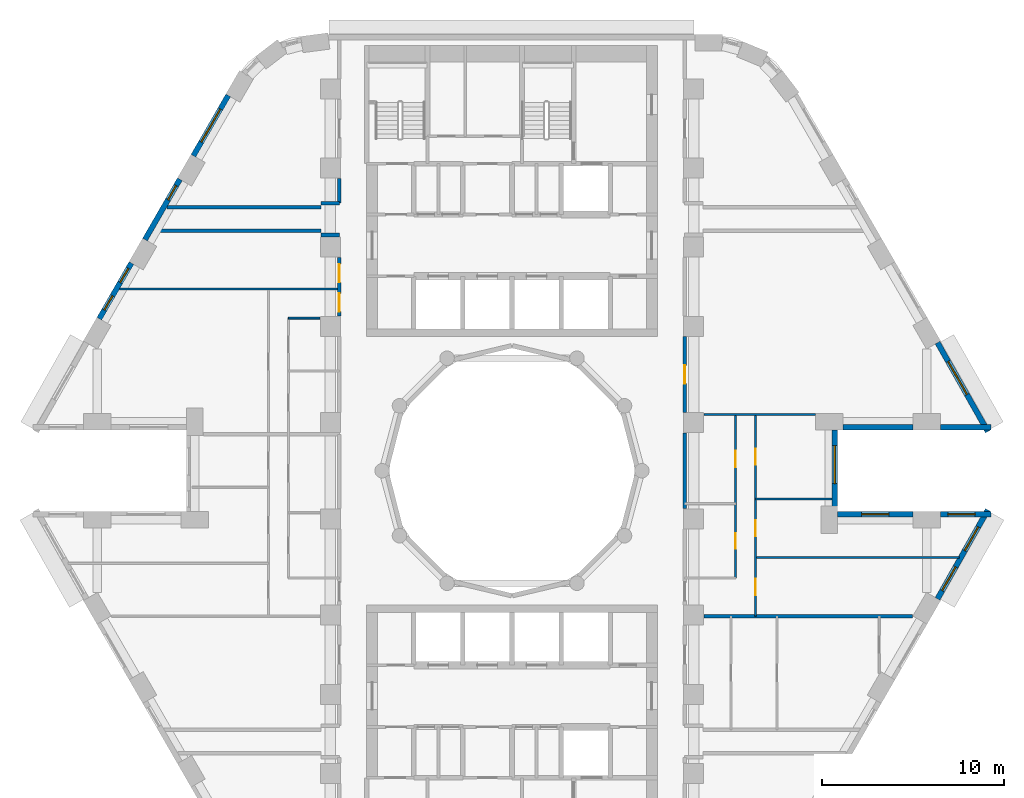
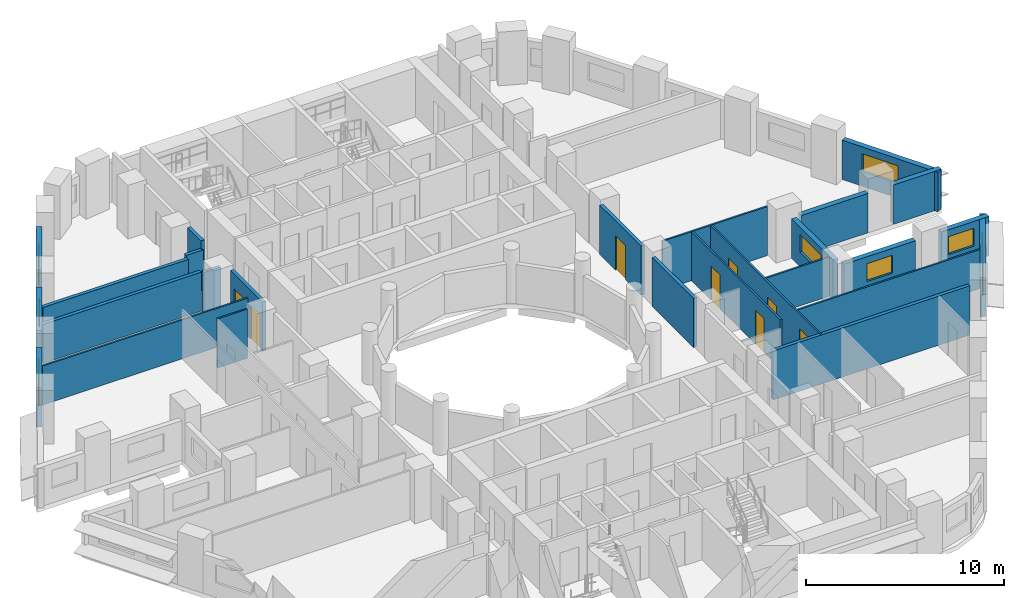
# One storey, part 6 of 12: 26 walls, 10 windows, 8 doors, 18 openings.
"""IFC4 building model written with IfcOpenShell, lengths in metres."""

from ifc_helpers import new_model, si_unit, direction, frame, frame_2d, origin, place, context, subcontext, project, spatial, rectangle, extrude, material, layer, layer_set, type_object, element, fill, save


model = new_model("IFC4")

# Units and contexts
model_context = context("Model", 3, precision=1e-05, world=origin(), true_north=direction((0.0, 1.0)))
body_context = subcontext(model_context, "Body", "Model", "MODEL_VIEW")
ifc_project = project(units=[si_unit("LENGTHUNIT", "METRE"), si_unit("AREAUNIT", "SQUARE_METRE"), si_unit("VOLUMEUNIT", "CUBIC_METRE"), si_unit("PLANEANGLEUNIT", "RADIAN"), si_unit("MASSUNIT", "GRAM", prefix="KILO")], contexts=[model_context])

# Site, building, storey
site_placement = place(None, origin())
site = spatial("IfcSite", under=ifc_project, at=site_placement, CompositionType="ELEMENT")
building_placement = place(site_placement, origin())
building = spatial("IfcBuilding", under=site, at=building_placement, Name="Nakaniwa Court", CompositionType="ELEMENT")
storey_placement = place(building_placement, frame((0.0, 0.0, 54.60009765625)))
storey = spatial("IfcBuildingStorey", under=building, at=storey_placement, Name="L14", CompositionType="ELEMENT", Elevation=54.60009765625)

# Wall
ifc_material_1 = material(Name="Acoustic double stud partition")
ifc_layer_1 = layer(ifc_material_1, 0.199951171875)
ifc_layer_set_1 = layer_set([ifc_layer_1], Name="Acoustic double stud partition")
wall_type_1 = type_object("IfcWallType", Name="Acoustic double stud partition 200", PredefinedType="PARTITIONING", material=ifc_layer_set_1)
wall_1_placement = place(storey_placement, frame((89.5, 77.9169921875, 0.0), z_axis=(0.0, 0.0, 1.0), x_axis=(0.0, 1.0, 0.0)))
element("IfcWall", 1, at=wall_1_placement, inside=storey, type_object=wall_type_1, Name="Partition PW-077", PredefinedType="PARTITIONING", context=body_context, shape_type="SweptSolid", body=[
    extrude(rectangle(XDim=4.166015625, YDim=0.199951171875, at=frame_2d((2.0830078125, 0.0))), origin(), (0.0, 0.0, 1.0), 3.02490234375),
])

# Wall, opening, door
wall_2_placement = place(storey_placement, frame((89.5, 87.383056640625, 0.0), z_axis=(0.0, 0.0, 1.0), x_axis=(0.0, -1.0, 0.0)))
wall_2 = element("IfcWall", 2, at=wall_2_placement, inside=storey, type_object=wall_type_1, Name="Partition PW-078", PredefinedType="PARTITIONING", context=body_context, shape_type="SweptSolid", body=[
    extrude(rectangle(XDim=4.166015625, YDim=0.199951171875, at=frame_2d((2.0830078125, 0.0))), origin(), (0.0, 0.0, 1.0), 3.02490234375),
])
opening_1_placement = place(wall_2_placement, frame((1.5830078125, 0.0, 0.0)))
opening_1 = element("IfcOpeningElement", 3, at=opening_1_placement, cuts=wall_2, Name="Opening D-02-01", PredefinedType="OPENING", context=body_context, shape_type="SweptSolid", body=[
    extrude(rectangle(XDim=1.0, YDim=2.10009765625, at=frame_2d((0.5, 1.050048828125))), frame((0.0, 0.10986328125, 0.0), z_axis=(0.0, -1.0, 0.0), x_axis=(1.0, 0.0, 0.0)), (0.0, 0.0, 1.0), 0.219970703125),
])
ifc_material_2 = material(Name="Solid core timber door set, black veneer", Category="wood")
door_type_1 = type_object("IfcDoorType", Name="Internal door 1000", OperationType="NOTDEFINED", PredefinedType="DOOR", material=ifc_material_2)
door_1_placement = place(opening_1_placement, origin())
door_1 = element("IfcDoor", 4, at=door_1_placement, inside=storey, type_object=door_type_1, Name="Door D-02-01 L14-039", OperationType="SINGLE_SWING_RIGHT", OverallHeight=2.10009765625, OverallWidth=1.0, PredefinedType="DOOR", context=body_context, shape_type="SweptSolid", body=[
    extrude(rectangle(XDim=1.0, YDim=2.10009765625, at=frame_2d((0.5, 1.050048828125))), frame((0.0, 0.02490234375, 0.0), z_axis=(0.0, -1.0, 0.0), x_axis=(1.0, 0.0, 0.0)), (0.0, 0.0, 1.0), 0.050048828125),
])
fill(opening_1, door_1)

# Walls
wall_3_placement = place(storey_placement, frame((60.254638671875, 93.199951171875, 0.0), z_axis=(0.0, 0.0, 1.0), x_axis=(1.0, 0.0, 0.0)))
element("IfcWall", 5, at=wall_3_placement, inside=storey, type_object=wall_type_1, Name="Partition PW-083", PredefinedType="PARTITIONING", context=body_context, shape_type="SweptSolid", body=[
    extrude(rectangle(XDim=9.245361328125, YDim=0.199951171875, at=frame_2d((4.62255859375, 0.0))), origin(), (0.0, 0.0, 1.0), 2.40478515625),
])
for number, where, z_axis, x_axis, name in (
    (6, (69.5, 92.97509765625, 0.0), (0.0, 0.0, 1.0), (1.0, 0.0, 0.0), "Partition PW-085"),
    (7, (69.5, 94.72509765625, 0.0), (0.0, 0.0, 1.0), (1.0, 0.0, 0.0), "Partition PW-087"),
):
    element("IfcWall", number, at=place(storey_placement, frame(where, z_axis=z_axis, x_axis=x_axis)), inside=storey, type_object=wall_type_1, Name=name, PredefinedType="PARTITIONING", context=body_context, shape_type="SweptSolid", body=[
        extrude(rectangle(XDim=1.0, YDim=0.199951171875, at=frame_2d((0.5, 0.0))), origin(), (0.0, 0.0, 1.0), 2.5048828125),
    ])
wall_4_placement = place(storey_placement, frame((61.005126953125, 94.5, 0.0), z_axis=(0.0, 0.0, 1.0), x_axis=(1.0, 0.0, 0.0)))
element("IfcWall", 8, at=wall_4_placement, inside=storey, type_object=wall_type_1, Name="Partition PW-089", PredefinedType="PARTITIONING", context=body_context, shape_type="SweptSolid", body=[
    extrude(rectangle(XDim=8.494873046875, YDim=0.199951171875, at=frame_2d((4.24755859375, 0.0))), origin(), (0.0, 0.0, 1.0), 2.40478515625),
])

# Wall, openings, doors
wall_5_placement = place(storey_placement, frame((70.5, 88.51708984375, 0.0), z_axis=(0.0, 0.0, 1.0), x_axis=(0.0, 1.0, 0.0)))
wall_5 = element("IfcWall", 9, at=wall_5_placement, inside=storey, type_object=wall_type_1, Name="Partition PW-107", PredefinedType="PARTITIONING", context=body_context, shape_type="SweptSolid", body=[
    extrude(rectangle(XDim=3.2158203125, YDim=0.199951171875, at=frame_2d((1.60791015625, 0.0))), origin(), (0.0, 0.0, 1.0), 3.02490234375),
])
opening_2_placement = place(wall_5_placement, frame((0.242919921875, 0.0, 0.0)))
opening_2 = element("IfcOpeningElement", 10, at=opening_2_placement, cuts=wall_5, Name="Opening D-01-04", PredefinedType="OPENING", context=body_context, shape_type="SweptSolid", body=[
    extrude(rectangle(XDim=1.0, YDim=2.10009765625, at=frame_2d((0.5, 1.050048828125))), frame((0.0, 0.10986328125, 0.0), z_axis=(0.0, -1.0, 0.0), x_axis=(1.0, 0.0, 0.0)), (0.0, 0.0, 1.0), 0.219970703125),
])
opening_3_placement = place(wall_5_placement, frame((1.847900390625, 0.0, 0.0)))
opening_3 = element("IfcOpeningElement", 11, at=opening_3_placement, cuts=wall_5, Name="Opening D-02-07", PredefinedType="OPENING", context=body_context, shape_type="SweptSolid", body=[
    extrude(rectangle(XDim=1.0, YDim=2.10009765625, at=frame_2d((0.5, 1.050048828125))), frame((0.0, 0.10986328125, 0.0), z_axis=(0.0, -1.0, 0.0), x_axis=(1.0, 0.0, 0.0)), (0.0, 0.0, 1.0), 0.219970703125),
])
door_type_2 = type_object("IfcDoorType", Name="Flat entrance door 1000", OperationType="NOTDEFINED", PredefinedType="DOOR", material=ifc_material_2)
door_2_placement = place(opening_2_placement, origin())
door_2 = element("IfcDoor", 12, at=door_2_placement, inside=storey, type_object=door_type_2, Name="Door D-01-04 L14-048", OperationType="SINGLE_SWING_LEFT", OverallHeight=2.10009765625, OverallWidth=1.0, PredefinedType="DOOR", context=body_context, shape_type="SweptSolid", body=[
    extrude(rectangle(XDim=1.0, YDim=2.10009765625, at=frame_2d((0.5, 1.050048828125))), frame((0.0, 0.02490234375, 0.0), z_axis=(0.0, -1.0, 0.0), x_axis=(1.0, 0.0, 0.0)), (0.0, 0.0, 1.0), 0.050048828125),
])
fill(opening_2, door_2)
door_3_placement = place(opening_3_placement, origin())
door_3 = element("IfcDoor", 13, at=door_3_placement, inside=storey, type_object=door_type_1, Name="Door D-02-07 L14-055", OperationType="SINGLE_SWING_RIGHT", OverallHeight=2.10009765625, OverallWidth=1.0, PredefinedType="DOOR", context=body_context, shape_type="SweptSolid", body=[
    extrude(rectangle(XDim=1.0, YDim=2.10009765625, at=frame_2d((0.5, 1.050048828125))), frame((0.0, 0.02490234375, 0.0), z_axis=(0.0, -1.0, 0.0), x_axis=(1.0, 0.0, 0.0)), (0.0, 0.0, 1.0), 0.050048828125),
])
fill(opening_3, door_3)

# Walls
wall_6_placement = place(storey_placement, frame((70.5, 94.721923828125, 0.0), z_axis=(0.0, 0.0, 1.0), x_axis=(0.0, 1.0, 0.0)))
element("IfcWall", 14, at=wall_6_placement, inside=storey, type_object=wall_type_1, Name="Partition PW-108", PredefinedType="PARTITIONING", context=body_context, shape_type="SweptSolid", body=[
    extrude(rectangle(XDim=1.361083984375, YDim=0.199951171875, at=frame_2d((0.6806640625, 0.0))), origin(), (0.0, 0.0, 1.0), 3.02490234375),
])
wall_7_placement = place(storey_placement, frame((90.570068359375, 72.0, 0.0), z_axis=(0.0, 0.0, 1.0), x_axis=(1.0, 0.0, 0.0)))
element("IfcWall", 15, at=wall_7_placement, inside=storey, type_object=wall_type_1, Name="Partition PW-112", PredefinedType="PARTITIONING", context=body_context, shape_type="SweptSolid", body=[
    extrude(rectangle(XDim=11.461669921875, YDim=0.199951171875, at=frame_2d((5.73095703125, 0.0))), origin(), (0.0, 0.0, 1.0), 3.02490234375),
])
ifc_material_3 = material(Name="Charcoal ceramic cladding")
ifc_layer_2 = layer(ifc_material_3, 0.02, Name="Ceramic cladding")
ifc_material_4 = material(Name="Ventilated air cavity")
ifc_layer_3 = layer(ifc_material_4, 0.04, ventilated=True, Name="Ventilated cavity")
ifc_material_5 = material(Name="Mineral wool insulation")
ifc_layer_4 = layer(ifc_material_5, 0.1, Name="Insulation")
ifc_material_6 = material(Name="Cement bonded sheathing board")
ifc_layer_5 = layer(ifc_material_6, 0.012, Name="Sheathing")
ifc_material_7 = material(Name="Cold-formed galvanised stud frame with mineral wool infill")
ifc_layer_6 = layer(ifc_material_7, 0.1, Name="Stud frame")
ifc_material_8 = material(Name="Fire-rated gypsum plasterboard lining")
ifc_layer_7 = layer(ifc_material_8, 0.028, Name="Lining")
ifc_layer_set_2 = layer_set([ifc_layer_2, ifc_layer_3, ifc_layer_4, ifc_layer_5, ifc_layer_6, ifc_layer_7], Name="Charcoal ceramic faced external wall system")
wall_type_2 = type_object("IfcWallType", Name="Black ceramic faced external wall 300", PredefinedType="SOLIDWALL", material=ifc_layer_set_2)
wall_8_placement = place(storey_placement, frame((98.204345703125, 82.39990234375, 0.0), z_axis=(0.0, 0.0, 1.0), x_axis=(1.0, 0.0, 0.0)))
element("IfcWall", 16, at=wall_8_placement, inside=storey, type_object=wall_type_2, Name="L14 external wall 00", PredefinedType="SOLIDWALL", context=body_context, shape_type="SweptSolid", body=[
    extrude(rectangle(XDim=3.87255859375, YDim=0.300048828125, at=frame_2d((1.936279296875, 0.0))), origin(), (0.0, 0.0, 1.0), 2.4248046875),
])
wall_9_placement = place(storey_placement, frame((103.56884765625, 82.39990234375, 0.0), z_axis=(0.0, 0.0, 1.0), x_axis=(1.0, 0.0, 0.0)))
element("IfcWall", 17, at=wall_9_placement, inside=storey, type_object=wall_type_2, Name="L14 external wall 01", PredefinedType="SOLIDWALL", context=body_context, shape_type="SweptSolid", body=[
    extrude(rectangle(XDim=2.787841796875, YDim=0.300048828125, at=frame_2d((1.39404296875, 0.0))), origin(), (0.0, 0.0, 1.0), 2.4248046875),
])

# Wall, opening, window
wall_10_placement = place(storey_placement, frame((106.18603515625, 82.1533203125, 0.0), z_axis=(0.0, 0.0, 1.0), x_axis=(-0.492363204642, 0.870389840655, 0.0)))
wall_10 = element("IfcWall", 18, at=wall_10_placement, inside=storey, type_object=wall_type_2, Name="L14 external wall 02", PredefinedType="SOLIDWALL", context=body_context, shape_type="SweptSolid", body=[
    extrude(rectangle(XDim=5.62646484375, YDim=0.300048828125, at=frame_2d((2.813232421875, 0.0))), origin(), (0.0, 0.0, 1.0), 2.4248046875),
])
opening_4_placement = place(wall_10_placement, frame((2.34228515625, 0.0, 0.89990234375)))
opening_4 = element("IfcOpeningElement", 19, at=opening_4_placement, cuts=wall_10, Name="Opening W7.01", PredefinedType="OPENING", context=body_context, shape_type="SweptSolid", body=[
    extrude(rectangle(XDim=2.10009765625, YDim=1.10009765625, at=frame_2d((1.050048828125, 0.550048828125))), frame((0.0, 0.159912109375, 0.0), z_axis=(0.0, -1.0, 0.0), x_axis=(1.0, 0.0, 0.0)), (0.0, 0.0, 1.0), 0.320068359375),
])
ifc_material_9 = material(Name="Black anodised aluminium frame with dark low-E laminated double glazing", Category="aluminium")
window_type_1 = type_object("IfcWindowType", Name="Dark glass window 2100x1100 sill 900", PartitioningType="SINGLE_PANEL", PredefinedType="WINDOW", material=ifc_material_9)
window_1_placement = place(opening_4_placement, origin())
window_1 = element("IfcWindow", 20, at=window_1_placement, inside=storey, type_object=window_type_1, Name="L14 habitable room window 02-0", OverallHeight=1.10009765625, OverallWidth=2.10009765625, PartitioningType="SINGLE_PANEL", PredefinedType="WINDOW", context=body_context, shape_type="SweptSolid", body=[
    extrude(rectangle(XDim=2.10009765625, YDim=1.10009765625, at=frame_2d((1.050048828125, 0.550048828125))), frame((0.0, 0.030029296875, 0.0), z_axis=(0.0, -1.0, 0.0), x_axis=(1.0, 0.0, 0.0)), (0.0, 0.0, 1.0), 0.06005859375),
])
fill(opening_4, window_1)

wall_11_placement = place(storey_placement, frame((64.384765625, 100.653564453125, 0.0), z_axis=(0.0, 0.0, 1.0), x_axis=(-0.499974163209, -0.866040320149, 0.0)))
wall_11 = element("IfcWall", 21, at=wall_11_placement, inside=storey, type_object=wall_type_2, Name="L14 external wall 11", PredefinedType="SOLIDWALL", context=body_context, shape_type="SweptSolid", body=[
    extrude(rectangle(XDim=3.834228515625, YDim=0.300048828125, at=frame_2d((1.9169921875, 0.0))), origin(), (0.0, 0.0, 1.0), 2.4248046875),
])
opening_5_placement = place(wall_11_placement, frame((0.8671875, 0.0, 0.89990234375)))
opening_5 = element("IfcOpeningElement", 22, at=opening_5_placement, cuts=wall_11, Name="Opening W7.09", PredefinedType="OPENING", context=body_context, shape_type="SweptSolid", body=[
    extrude(rectangle(XDim=2.10009765625, YDim=1.10009765625, at=frame_2d((1.050048828125, 0.550048828125))), frame((0.0, 0.159912109375, 0.0), z_axis=(0.0, -1.0, 0.0), x_axis=(1.0, 0.0, 0.0)), (0.0, 0.0, 1.0), 0.320068359375),
])
window_2_placement = place(opening_5_placement, origin())
window_2 = element("IfcWindow", 23, at=window_2_placement, inside=storey, type_object=window_type_1, Name="L14 habitable room window 11-0", OverallHeight=1.10009765625, OverallWidth=2.10009765625, PartitioningType="SINGLE_PANEL", PredefinedType="WINDOW", context=body_context, shape_type="SweptSolid", body=[
    extrude(rectangle(XDim=2.10009765625, YDim=1.10009765625, at=frame_2d((1.050048828125, 0.550048828125))), frame((0.0, 0.030029296875, 0.0), z_axis=(0.0, -1.0, 0.0), x_axis=(1.0, 0.0, 0.0)), (0.0, 0.0, 1.0), 0.06005859375),
])
fill(opening_5, window_2)

wall_12_placement = place(storey_placement, frame((61.7216796875, 96.041015625, 0.0), z_axis=(0.0, 0.0, 1.0), x_axis=(-0.500001735503, -0.866024401789, 0.0)))
wall_12 = element("IfcWall", 24, at=wall_12_placement, inside=storey, type_object=wall_type_2, Name="L14 external wall 12", PredefinedType="SOLIDWALL", context=body_context, shape_type="SweptSolid", body=[
    extrude(rectangle(XDim=3.833984375, YDim=0.300048828125, at=frame_2d((1.9169921875, 0.0))), origin(), (0.0, 0.0, 1.0), 2.4248046875),
])
opening_6_placement = place(wall_12_placement, frame((0.402587890625, 0.0, 0.89990234375)))
opening_6 = element("IfcOpeningElement", 25, at=opening_6_placement, cuts=wall_12, Name="Opening W9.10", PredefinedType="OPENING", context=body_context, shape_type="SweptSolid", body=[
    extrude(rectangle(XDim=0.89990234375, YDim=1.10009765625, at=frame_2d((0.449951171875, 0.550048828125))), frame((0.0, 0.159912109375, 0.0), z_axis=(0.0, -1.0, 0.0), x_axis=(1.0, 0.0, 0.0)), (0.0, 0.0, 1.0), 0.320068359375),
])
window_type_2 = type_object("IfcWindowType", Name="Dark glass window 900x1100 sill 900", PartitioningType="SINGLE_PANEL", PredefinedType="WINDOW", material=ifc_material_9)
window_3_placement = place(opening_6_placement, origin())
window_3 = element("IfcWindow", 26, at=window_3_placement, inside=storey, type_object=window_type_2, Name="L14 habitable room window 12-0", OverallHeight=1.10009765625, OverallWidth=0.89990234375, PartitioningType="SINGLE_PANEL", PredefinedType="WINDOW", context=body_context, shape_type="SweptSolid", body=[
    extrude(rectangle(XDim=0.89990234375, YDim=1.10009765625, at=frame_2d((0.449951171875, 0.550048828125))), frame((0.0, 0.030029296875, 0.0), z_axis=(0.0, -1.0, 0.0), x_axis=(1.0, 0.0, 0.0)), (0.0, 0.0, 1.0), 0.06005859375),
])
fill(opening_6, window_3)

# Wall, openings, windows
wall_13_placement = place(storey_placement, frame((59.05859375, 91.4287109375, 0.0), z_axis=(0.0, 0.0, 1.0), x_axis=(-0.499977402622, -0.866038449993, 0.0)))
wall_13 = element("IfcWall", 27, at=wall_13_placement, inside=storey, type_object=wall_type_2, Name="L14 external wall 13", PredefinedType="SOLIDWALL", context=body_context, shape_type="SweptSolid", body=[
    extrude(rectangle(XDim=3.536865234375, YDim=0.300048828125, at=frame_2d((1.7685546875, 0.0))), origin(), (0.0, 0.0, 1.0), 2.4248046875),
])
opening_7_placement = place(wall_13_placement, frame((0.337890625, 0.0, 0.89990234375)))
opening_7 = element("IfcOpeningElement", 28, at=opening_7_placement, cuts=wall_13, Name="Opening W9.11", PredefinedType="OPENING", context=body_context, shape_type="SweptSolid", body=[
    extrude(rectangle(XDim=0.89990234375, YDim=1.10009765625, at=frame_2d((0.449951171875, 0.550048828125))), frame((0.0, 0.159912109375, 0.0), z_axis=(0.0, -1.0, 0.0), x_axis=(1.0, 0.0, 0.0)), (0.0, 0.0, 1.0), 0.320068359375),
])
opening_8_placement = place(wall_13_placement, frame((2.082275390625, 0.0, 0.89990234375)))
opening_8 = element("IfcOpeningElement", 29, at=opening_8_placement, cuts=wall_13, Name="Opening W9.12", PredefinedType="OPENING", context=body_context, shape_type="SweptSolid", body=[
    extrude(rectangle(XDim=0.89990234375, YDim=1.10009765625, at=frame_2d((0.449951171875, 0.550048828125))), frame((0.0, 0.159912109375, 0.0), z_axis=(0.0, -1.0, 0.0), x_axis=(1.0, 0.0, 0.0)), (0.0, 0.0, 1.0), 0.320068359375),
])
window_4_placement = place(opening_7_placement, origin())
window_4 = element("IfcWindow", 30, at=window_4_placement, inside=storey, type_object=window_type_2, Name="L14 habitable room window 13-0", OverallHeight=1.10009765625, OverallWidth=0.89990234375, PartitioningType="SINGLE_PANEL", PredefinedType="WINDOW", context=body_context, shape_type="SweptSolid", body=[
    extrude(rectangle(XDim=0.89990234375, YDim=1.10009765625, at=frame_2d((0.449951171875, 0.550048828125))), frame((0.0, 0.030029296875, 0.0), z_axis=(0.0, -1.0, 0.0), x_axis=(1.0, 0.0, 0.0)), (0.0, 0.0, 1.0), 0.06005859375),
])
fill(opening_7, window_4)
window_5_placement = place(opening_8_placement, origin())
window_5 = element("IfcWindow", 31, at=window_5_placement, inside=storey, type_object=window_type_2, Name="L14 living window 13-1", OverallHeight=1.10009765625, OverallWidth=0.89990234375, PartitioningType="SINGLE_PANEL", PredefinedType="WINDOW", context=body_context, shape_type="SweptSolid", body=[
    extrude(rectangle(XDim=0.89990234375, YDim=1.10009765625, at=frame_2d((0.449951171875, 0.550048828125))), frame((0.0, 0.030029296875, 0.0), z_axis=(0.0, -1.0, 0.0), x_axis=(1.0, 0.0, 0.0)), (0.0, 0.0, 1.0), 0.06005859375),
])
fill(opening_8, window_5)

wall_14_placement = place(storey_placement, frame((103.415771484375, 72.949462890625, 0.0), z_axis=(0.0, 0.0, 1.0), x_axis=(0.492363204642, 0.870389840655, 0.0)))
wall_14 = element("IfcWall", 32, at=wall_14_placement, inside=storey, type_object=wall_type_2, Name="L14 external wall 32", PredefinedType="SOLIDWALL", context=body_context, shape_type="SweptSolid", body=[
    extrude(rectangle(XDim=5.62646484375, YDim=0.300048828125, at=frame_2d((2.813232421875, 0.0))), origin(), (0.0, 0.0, 1.0), 2.4248046875),
])
opening_9_placement = place(wall_14_placement, frame((0.5205078125, 0.0, 0.89990234375)))
opening_9 = element("IfcOpeningElement", 33, at=opening_9_placement, cuts=wall_14, Name="Opening W5.32", PredefinedType="OPENING", context=body_context, shape_type="SweptSolid", body=[
    extrude(rectangle(XDim=1.5, YDim=1.10009765625, at=frame_2d((0.75, 0.550048828125))), frame((0.0, 0.159912109375, 0.0), z_axis=(0.0, -1.0, 0.0), x_axis=(1.0, 0.0, 0.0)), (0.0, 0.0, 1.0), 0.320068359375),
])
opening_10_placement = place(wall_14_placement, frame((3.044921875, 0.0, 0.89990234375)))
opening_10 = element("IfcOpeningElement", 34, at=opening_10_placement, cuts=wall_14, Name="Opening W5.33", PredefinedType="OPENING", context=body_context, shape_type="SweptSolid", body=[
    extrude(rectangle(XDim=1.5, YDim=1.10009765625, at=frame_2d((0.75, 0.550048828125))), frame((0.0, 0.159912109375, 0.0), z_axis=(0.0, -1.0, 0.0), x_axis=(1.0, 0.0, 0.0)), (0.0, 0.0, 1.0), 0.320068359375),
])
window_type_3 = type_object("IfcWindowType", Name="Dark glass window 1500x1100 sill 900", PartitioningType="SINGLE_PANEL", PredefinedType="WINDOW", material=ifc_material_9)
window_6_placement = place(opening_9_placement, origin())
window_6 = element("IfcWindow", 35, at=window_6_placement, inside=storey, type_object=window_type_3, Name="L14 bedroom window 32-0", OverallHeight=1.10009765625, OverallWidth=1.5, PartitioningType="SINGLE_PANEL", PredefinedType="WINDOW", context=body_context, shape_type="SweptSolid", body=[
    extrude(rectangle(XDim=1.5, YDim=1.10009765625, at=frame_2d((0.75, 0.550048828125))), frame((0.0, 0.030029296875, 0.0), z_axis=(0.0, -1.0, 0.0), x_axis=(1.0, 0.0, 0.0)), (0.0, 0.0, 1.0), 0.06005859375),
])
fill(opening_9, window_6)
window_7_placement = place(opening_10_placement, origin())
window_7 = element("IfcWindow", 36, at=window_7_placement, inside=storey, type_object=window_type_3, Name="L14 bedroom window 32-1", OverallHeight=1.10009765625, OverallWidth=1.5, PartitioningType="SINGLE_PANEL", PredefinedType="WINDOW", context=body_context, shape_type="SweptSolid", body=[
    extrude(rectangle(XDim=1.5, YDim=1.10009765625, at=frame_2d((0.75, 0.550048828125))), frame((0.0, 0.030029296875, 0.0), z_axis=(0.0, -1.0, 0.0), x_axis=(1.0, 0.0, 0.0)), (0.0, 0.0, 1.0), 0.06005859375),
])
fill(opening_10, window_7)

# Wall, opening, window
wall_15_placement = place(storey_placement, frame((106.356689453125, 77.60009765625, 0.0), z_axis=(0.0, 0.0, 1.0), x_axis=(-1.0, 0.0, 0.0)))
wall_15 = element("IfcWall", 37, at=wall_15_placement, inside=storey, type_object=wall_type_2, Name="L14 external wall 33", PredefinedType="SOLIDWALL", context=body_context, shape_type="SweptSolid", body=[
    extrude(rectangle(XDim=2.787841796875, YDim=0.300048828125, at=frame_2d((1.39404296875, 0.0))), origin(), (0.0, 0.0, 1.0), 2.4248046875),
])
opening_11_placement = place(wall_15_placement, frame((0.868896484375, 0.0, 0.89990234375)))
opening_11 = element("IfcOpeningElement", 38, at=opening_11_placement, cuts=wall_15, Name="Opening W5.34", PredefinedType="OPENING", context=body_context, shape_type="SweptSolid", body=[
    extrude(rectangle(XDim=1.5, YDim=1.10009765625, at=frame_2d((0.75, 0.550048828125))), frame((0.0, 0.159912109375, 0.0), z_axis=(0.0, -1.0, 0.0), x_axis=(1.0, 0.0, 0.0)), (0.0, 0.0, 1.0), 0.320068359375),
])
window_8_placement = place(opening_11_placement, origin())
window_8 = element("IfcWindow", 39, at=window_8_placement, inside=storey, type_object=window_type_3, Name="L14 bedroom window 33-0", OverallHeight=1.10009765625, OverallWidth=1.5, PartitioningType="SINGLE_PANEL", PredefinedType="WINDOW", context=body_context, shape_type="SweptSolid", body=[
    extrude(rectangle(XDim=1.5, YDim=1.10009765625, at=frame_2d((0.75, 0.550048828125))), frame((0.0, 0.030029296875, 0.0), z_axis=(0.0, -1.0, 0.0), x_axis=(1.0, 0.0, 0.0)), (0.0, 0.0, 1.0), 0.06005859375),
])
fill(opening_11, window_8)

wall_16_placement = place(storey_placement, frame((102.076904296875, 77.60009765625, 0.0), z_axis=(0.0, 0.0, 1.0), x_axis=(-1.0, 0.0, 0.0)))
wall_16 = element("IfcWall", 40, at=wall_16_placement, inside=storey, type_object=wall_type_2, Name="L14 external wall 34", PredefinedType="SOLIDWALL", context=body_context, shape_type="SweptSolid", body=[
    extrude(rectangle(XDim=4.172607421875, YDim=0.300048828125, at=frame_2d((2.08642578125, 0.0))), origin(), (0.0, 0.0, 1.0), 2.4248046875),
])
opening_12_placement = place(wall_16_placement, frame((1.336181640625, 0.0, 0.89990234375)))
opening_12 = element("IfcOpeningElement", 41, at=opening_12_placement, cuts=wall_16, Name="Opening W5.35", PredefinedType="OPENING", context=body_context, shape_type="SweptSolid", body=[
    extrude(rectangle(XDim=1.5, YDim=1.10009765625, at=frame_2d((0.75, 0.550048828125))), frame((0.0, 0.159912109375, 0.0), z_axis=(0.0, -1.0, 0.0), x_axis=(1.0, 0.0, 0.0)), (0.0, 0.0, 1.0), 0.320068359375),
])
window_9_placement = place(opening_12_placement, origin())
window_9 = element("IfcWindow", 42, at=window_9_placement, inside=storey, type_object=window_type_3, Name="L14 bedroom window 34-0", OverallHeight=1.10009765625, OverallWidth=1.5, PartitioningType="SINGLE_PANEL", PredefinedType="WINDOW", context=body_context, shape_type="SweptSolid", body=[
    extrude(rectangle(XDim=1.5, YDim=1.10009765625, at=frame_2d((0.75, 0.550048828125))), frame((0.0, 0.030029296875, 0.0), z_axis=(0.0, -1.0, 0.0), x_axis=(1.0, 0.0, 0.0)), (0.0, 0.0, 1.0), 0.06005859375),
])
fill(opening_12, window_9)

wall_17_placement = place(storey_placement, frame((97.75830078125, 78.0458984375, 0.0), z_axis=(0.0, 0.0, 1.0), x_axis=(0.0, 1.0, 0.0)))
wall_17 = element("IfcWall", 43, at=wall_17_placement, inside=storey, type_object=wall_type_2, Name="L14 external wall 35", PredefinedType="SOLIDWALL", context=body_context, shape_type="SweptSolid", body=[
    extrude(rectangle(XDim=4.2080078125, YDim=0.300048828125, at=frame_2d((2.10400390625, 0.0))), origin(), (0.0, 0.0, 1.0), 2.4248046875),
])
opening_13_placement = place(wall_17_placement, frame((1.24169921875, 0.0, 0.89990234375)))
opening_13 = element("IfcOpeningElement", 44, at=opening_13_placement, cuts=wall_17, Name="Opening W7.36", PredefinedType="OPENING", context=body_context, shape_type="SweptSolid", body=[
    extrude(rectangle(XDim=2.10009765625, YDim=1.10009765625, at=frame_2d((1.050048828125, 0.550048828125))), frame((0.0, 0.159912109375, 0.0), z_axis=(0.0, -1.0, 0.0), x_axis=(1.0, 0.0, 0.0)), (0.0, 0.0, 1.0), 0.320068359375),
])
window_10_placement = place(opening_13_placement, origin())
window_10 = element("IfcWindow", 45, at=window_10_placement, inside=storey, type_object=window_type_1, Name="L14 living window 35-1", OverallHeight=1.10009765625, OverallWidth=2.10009765625, PartitioningType="SINGLE_PANEL", PredefinedType="WINDOW", context=body_context, shape_type="SweptSolid", body=[
    extrude(rectangle(XDim=2.10009765625, YDim=1.10009765625, at=frame_2d((1.050048828125, 0.550048828125))), frame((0.0, 0.030029296875, 0.0), z_axis=(0.0, -1.0, 0.0), x_axis=(1.0, 0.0, 0.0)), (0.0, 0.0, 1.0), 0.06005859375),
])
fill(opening_13, window_10)

# Wall, openings, doors
ifc_material_10 = material(Name="Single stud plasterboard partition")
ifc_layer_8 = layer(ifc_material_10, 0.10009765625)
ifc_layer_set_3 = layer_set([ifc_layer_8], Name="Single stud plasterboard partition")
wall_type_3 = type_object("IfcWallType", Name="Single stud plasterboard partition 100", PredefinedType="PARTITIONING", material=ifc_layer_set_3)
wall_18_placement = place(storey_placement, frame((92.300048828125, 74.10009765625, 0.0), z_axis=(0.0, 0.0, 1.0), x_axis=(0.0, 1.0, 0.0)))
wall_18 = element("IfcWall", 46, at=wall_18_placement, inside=storey, type_object=wall_type_3, Name="Partition PW-118", PredefinedType="PARTITIONING", context=body_context, shape_type="SweptSolid", body=[
    extrude(rectangle(XDim=9.0, YDim=0.10009765625, at=frame_2d((4.5, 0.0))), origin(), (0.0, 0.0, 1.0), 3.02490234375),
])
opening_14_placement = place(wall_18_placement, frame((1.6201171875, 0.0, 0.0)))
opening_14 = element("IfcOpeningElement", 47, at=opening_14_placement, cuts=wall_18, Name="Opening D-03-02", PredefinedType="OPENING", context=body_context, shape_type="SweptSolid", body=[
    extrude(rectangle(XDim=0.85009765625, YDim=2.10009765625, at=frame_2d((0.425048828125, 1.050048828125))), frame((0.0, 0.06005859375, 0.0), z_axis=(0.0, -1.0, 0.0), x_axis=(1.0, 0.0, 0.0)), (0.0, 0.0, 1.0), 0.1201171875),
])
opening_15_placement = place(wall_18_placement, frame((6.094970703125, 0.0, 0.0)))
opening_15 = element("IfcOpeningElement", 48, at=opening_15_placement, cuts=wall_18, Name="Opening D-33-03", PredefinedType="OPENING", context=body_context, shape_type="SweptSolid", body=[
    extrude(rectangle(XDim=0.89990234375, YDim=2.10009765625, at=frame_2d((0.449951171875, 1.050048828125))), frame((0.0, 0.06005859375, 0.0), z_axis=(0.0, -1.0, 0.0), x_axis=(1.0, 0.0, 0.0)), (0.0, 0.0, 1.0), 0.1201171875),
])
ifc_material_11 = material(Name="Moisture sealed timber door set", Category="wood")
door_type_3 = type_object("IfcDoorType", Name="Bathroom door 850", OperationType="NOTDEFINED", PredefinedType="DOOR", material=ifc_material_11)
door_4_placement = place(opening_14_placement, origin())
door_4 = element("IfcDoor", 49, at=door_4_placement, inside=storey, type_object=door_type_3, Name="Door D-03-02 L14-034", OperationType="SINGLE_SWING_LEFT", OverallHeight=2.10009765625, OverallWidth=0.85009765625, PredefinedType="DOOR", context=body_context, shape_type="SweptSolid", body=[
    extrude(rectangle(XDim=0.85009765625, YDim=2.10009765625, at=frame_2d((0.425048828125, 1.050048828125))), frame((0.0, 0.02490234375, 0.0), z_axis=(0.0, -1.0, 0.0), x_axis=(1.0, 0.0, 0.0)), (0.0, 0.0, 1.0), 0.050048828125),
])
fill(opening_14, door_4)
door_type_4 = type_object("IfcDoorType", Name="Internal door 900", OperationType="NOTDEFINED", PredefinedType="DOOR", material=ifc_material_2)
door_5_placement = place(opening_15_placement, origin())
door_5 = element("IfcDoor", 50, at=door_5_placement, inside=storey, type_object=door_type_4, Name="Door D-33-03 L14-035", OperationType="SINGLE_SWING_RIGHT", OverallHeight=2.10009765625, OverallWidth=0.89990234375, PredefinedType="DOOR", context=body_context, shape_type="SweptSolid", body=[
    extrude(rectangle(XDim=0.89990234375, YDim=2.10009765625, at=frame_2d((0.449951171875, 1.050048828125))), frame((0.0, 0.02490234375, 0.0), z_axis=(0.0, -1.0, 0.0), x_axis=(1.0, 0.0, 0.0)), (0.0, 0.0, 1.0), 0.050048828125),
])
fill(opening_15, door_5)

# Wall
wall_19_placement = place(storey_placement, frame((90.570068359375, 83.10009765625, 0.0), z_axis=(0.0, 0.0, 1.0), x_axis=(1.0, 0.0, 0.0)))
element("IfcWall", 51, at=wall_19_placement, inside=storey, type_object=wall_type_3, Name="Partition PW-119", PredefinedType="PARTITIONING", context=body_context, shape_type="SweptSolid", body=[
    extrude(rectangle(XDim=6.118408203125, YDim=0.10009765625, at=frame_2d((3.05908203125, 0.0))), origin(), (0.0, 0.0, 1.0), 3.02490234375),
])

# Wall, openings, doors
wall_20_placement = place(storey_placement, frame((93.39990234375, 83.10009765625, 0.0), z_axis=(0.0, 0.0, 1.0), x_axis=(0.0, -1.0, 0.0)))
wall_20 = element("IfcWall", 52, at=wall_20_placement, inside=storey, type_object=wall_type_3, Name="Partition PW-120", PredefinedType="PARTITIONING", context=body_context, shape_type="SweptSolid", body=[
    extrude(rectangle(XDim=11.10009765625, YDim=0.10009765625, at=frame_2d((5.550048828125, 0.0))), origin(), (0.0, 0.0, 1.0), 3.02490234375),
])
opening_16_placement = place(wall_20_placement, frame((9.0390625, 0.0, 0.0)))
opening_16 = element("IfcOpeningElement", 53, at=opening_16_placement, cuts=wall_20, Name="Opening D-33-04", PredefinedType="OPENING", context=body_context, shape_type="SweptSolid", body=[
    extrude(rectangle(XDim=0.89990234375, YDim=2.10009765625, at=frame_2d((0.449951171875, 1.050048828125))), frame((0.0, 0.06005859375, 0.0), z_axis=(0.0, -1.0, 0.0), x_axis=(1.0, 0.0, 0.0)), (0.0, 0.0, 1.0), 0.1201171875),
])
opening_17_placement = place(wall_20_placement, frame((5.81591796875, 0.0, 0.0)))
opening_17 = element("IfcOpeningElement", 54, at=opening_17_placement, cuts=wall_20, Name="Opening D-33-05", PredefinedType="OPENING", context=body_context, shape_type="SweptSolid", body=[
    extrude(rectangle(XDim=0.89990234375, YDim=2.10009765625, at=frame_2d((0.449951171875, 1.050048828125))), frame((0.0, 0.06005859375, 0.0), z_axis=(0.0, -1.0, 0.0), x_axis=(1.0, 0.0, 0.0)), (0.0, 0.0, 1.0), 0.1201171875),
])
opening_18_placement = place(wall_20_placement, frame((1.876953125, 0.0, 0.0)))
opening_18 = element("IfcOpeningElement", 55, at=opening_18_placement, cuts=wall_20, Name="Opening D-33-06", PredefinedType="OPENING", context=body_context, shape_type="SweptSolid", body=[
    extrude(rectangle(XDim=0.89990234375, YDim=2.10009765625, at=frame_2d((0.449951171875, 1.050048828125))), frame((0.0, 0.06005859375, 0.0), z_axis=(0.0, -1.0, 0.0), x_axis=(1.0, 0.0, 0.0)), (0.0, 0.0, 1.0), 0.1201171875),
])
door_6_placement = place(opening_16_placement, origin())
door_6 = element("IfcDoor", 56, at=door_6_placement, inside=storey, type_object=door_type_4, Name="Door D-33-04 L14-036", OperationType="SINGLE_SWING_LEFT", OverallHeight=2.10009765625, OverallWidth=0.89990234375, PredefinedType="DOOR", context=body_context, shape_type="SweptSolid", body=[
    extrude(rectangle(XDim=0.89990234375, YDim=2.10009765625, at=frame_2d((0.449951171875, 1.050048828125))), frame((0.0, 0.02490234375, 0.0), z_axis=(0.0, -1.0, 0.0), x_axis=(1.0, 0.0, 0.0)), (0.0, 0.0, 1.0), 0.050048828125),
])
fill(opening_16, door_6)
door_7_placement = place(opening_17_placement, origin())
door_7 = element("IfcDoor", 57, at=door_7_placement, inside=storey, type_object=door_type_4, Name="Door D-33-05 L14-037", OperationType="SINGLE_SWING_RIGHT", OverallHeight=2.10009765625, OverallWidth=0.89990234375, PredefinedType="DOOR", context=body_context, shape_type="SweptSolid", body=[
    extrude(rectangle(XDim=0.89990234375, YDim=2.10009765625, at=frame_2d((0.449951171875, 1.050048828125))), frame((0.0, 0.02490234375, 0.0), z_axis=(0.0, -1.0, 0.0), x_axis=(1.0, 0.0, 0.0)), (0.0, 0.0, 1.0), 0.050048828125),
])
fill(opening_17, door_7)
door_8_placement = place(opening_18_placement, origin())
door_8 = element("IfcDoor", 58, at=door_8_placement, inside=storey, type_object=door_type_4, Name="Door D-33-06 L14-038", OperationType="SINGLE_SWING_LEFT", OverallHeight=2.10009765625, OverallWidth=0.89990234375, PredefinedType="DOOR", context=body_context, shape_type="SweptSolid", body=[
    extrude(rectangle(XDim=0.89990234375, YDim=2.10009765625, at=frame_2d((0.449951171875, 1.050048828125))), frame((0.0, 0.02490234375, 0.0), z_axis=(0.0, -1.0, 0.0), x_axis=(1.0, 0.0, 0.0)), (0.0, 0.0, 1.0), 0.050048828125),
])
fill(opening_18, door_8)

# Walls
wall_21_placement = place(storey_placement, frame((93.39990234375, 75.222900390625, 0.0), z_axis=(0.0, 0.0, 1.0), x_axis=(1.0, 0.0, 0.0)))
element("IfcWall", 59, at=wall_21_placement, inside=storey, type_object=wall_type_3, Name="Partition PW-121", PredefinedType="PARTITIONING", context=body_context, shape_type="SweptSolid", body=[
    extrude(rectangle(XDim=11.208251953125, YDim=0.10009765625, at=frame_2d((5.60400390625, 0.0))), origin(), (0.0, 0.0, 1.0), 2.40478515625),
])
wall_22_placement = place(storey_placement, frame((93.39990234375, 78.445068359375, 0.0), z_axis=(0.0, 0.0, 1.0), x_axis=(1.0, 0.0, 0.0)))
element("IfcWall", 60, at=wall_22_placement, inside=storey, type_object=wall_type_3, Name="Partition PW-122", PredefinedType="PARTITIONING", context=body_context, shape_type="SweptSolid", body=[
    extrude(rectangle(XDim=4.20849609375, YDim=0.10009765625, at=frame_2d((2.104248046875, 0.0))), origin(), (0.0, 0.0, 1.0), 2.40478515625),
])
wall_23_placement = place(storey_placement, frame((67.699951171875, 88.39990234375, 0.0), z_axis=(0.0, 0.0, 1.0), x_axis=(1.0, 0.0, 0.0)))
element("IfcWall", 61, at=wall_23_placement, inside=storey, type_object=wall_type_3, Name="Partition PW-131", PredefinedType="PARTITIONING", context=body_context, shape_type="SweptSolid", body=[
    extrude(rectangle(XDim=1.72998046875, YDim=0.10009765625, at=frame_2d((0.864990234375, 0.0))), origin(), (0.0, 0.0, 1.0), 3.02490234375),
])
wall_24_placement = place(storey_placement, frame((58.406982421875, 90.0, 0.0), z_axis=(0.0, 0.0, 1.0), x_axis=(1.0, 0.0, 0.0)))
element("IfcWall", 62, at=wall_24_placement, inside=storey, type_object=wall_type_3, Name="Partition PW-132", PredefinedType="PARTITIONING", context=body_context, shape_type="SweptSolid", body=[
    extrude(rectangle(XDim=12.093017578125, YDim=0.10009765625, at=frame_2d((6.04638671875, 0.0))), origin(), (0.0, 0.0, 1.0), 2.40478515625),
])

save(model, "model.ifc")
